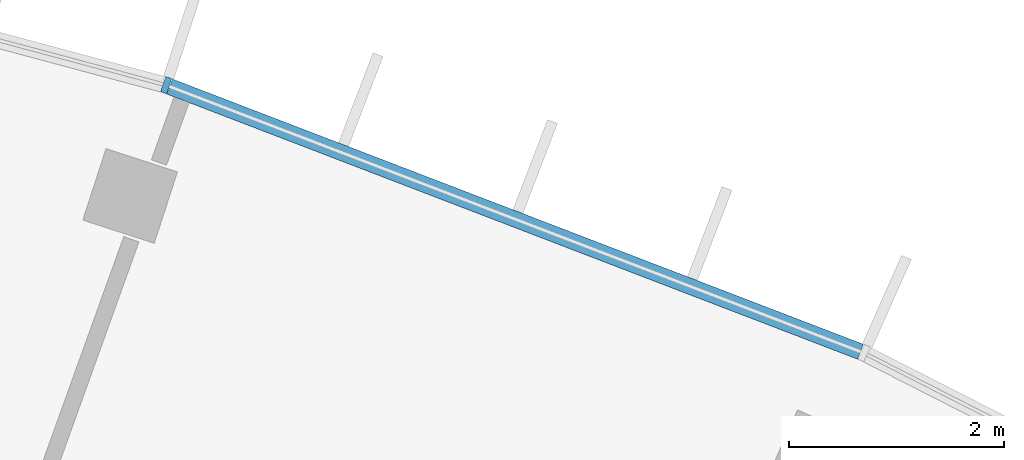
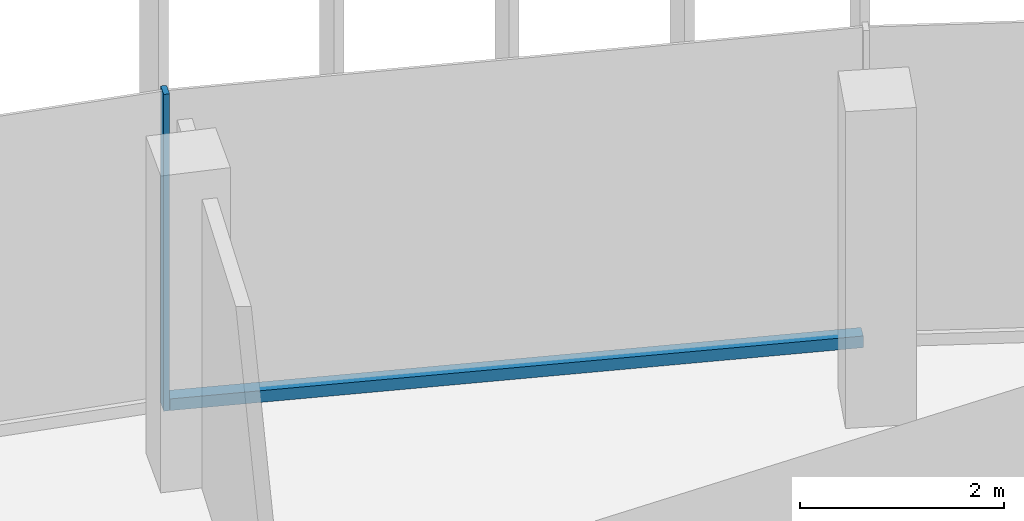
# One storey, part 10 of 19: 2 members, 1 element without a shape of its own.
"""IFC4 building model written with IfcOpenShell, lengths in metres."""

from ifc_helpers import new_model, si_unit, direction, frame, origin, origin_2d, place, context, subcontext, project, spatial, rectangle, extrude, material, layer, layer_set, material_profile, profile_set, type_object, element, aggregate, save


model = new_model("IFC4")

# Units and contexts
model_context = context("Model", 3, precision=1e-05, world=origin(), true_north=direction((0.0, 1.0)))
body_context = subcontext(model_context, "Body", "Model", "MODEL_VIEW")
ifc_project = project(units=[si_unit("LENGTHUNIT", "METRE"), si_unit("AREAUNIT", "SQUARE_METRE"), si_unit("VOLUMEUNIT", "CUBIC_METRE"), si_unit("PLANEANGLEUNIT", "RADIAN"), si_unit("MASSUNIT", "GRAM", prefix="KILO")], contexts=[model_context])

# Site, building, storey
site_placement = place(None, origin())
site = spatial("IfcSite", under=ifc_project, at=site_placement, CompositionType="ELEMENT")
building_placement = place(site_placement, origin())
building = spatial("IfcBuilding", under=site, at=building_placement, Name="Stone Belt Terrace Tower", CompositionType="ELEMENT")
storey_placement = place(building_placement, frame((0.0, 0.0, 280.800048828125)))
storey = spatial("IfcBuildingStorey", under=building, at=storey_placement, Name="L68", CompositionType="ELEMENT", Elevation=280.800048828125)

# Curtain wall, members
ifc_material = material(Name="Aluminium 6063-T6 anodised frame", Category="aluminium")
ifc_layer = layer(ifc_material, 0.14990234375)
ifc_layer_set = layer_set([ifc_layer], Name="CW-A unitised convex-face curtain wall")
curtain_wall_type = type_object("IfcCurtainWallType", Name="CW-A unitised convex-face curtain wall", PredefinedType="NOTDEFINED", material=ifc_layer_set)
curtain_wall_placement = place(storey_placement, origin())
curtain_wall = element("IfcCurtainWall", 1, at=curtain_wall_placement, inside=storey, type_object=curtain_wall_type, Name="CW-A convex face L68", PredefinedType="NOTDEFINED")
ifc_material_profile_1 = material_profile(ifc_material, rectangle(XDim=0.14990234375, YDim=0.06005859375, at=origin_2d()), Name="Aluminium 6063-T6 60x150")
ifc_profile_set_1 = profile_set([ifc_material_profile_1], Name="Aluminium 6063-T6 anodised frame")
member_type_1 = type_object("IfcMemberType", Name="CW-A mullion 60 x 150", PredefinedType="MULLION", material=ifc_profile_set_1)
member_1_placement = place(storey_placement, frame((20.57275390625, 63.316650390625, 0.0), z_axis=(0.0, 0.0, 1.0), x_axis=(-0.309016994375, -0.951056516295, 0.0)))
member_1 = element("IfcMember", 2, at=member_1_placement, type_object=member_type_1, Name="CW-A mullion 5", PredefinedType="MULLION", context=body_context, shape_type="SweptSolid", body=[
    extrude(rectangle(XDim=0.14990234375, YDim=0.06005859375, at=origin_2d()), origin(), (0.0, 0.0, 1.0), 3.800048828125),
])
ifc_material_profile_2 = material_profile(ifc_material, rectangle(XDim=0.14990234375, YDim=0.139892578125, at=origin_2d()), Name="Aluminium 6063-T6 150x140")
ifc_profile_set_2 = profile_set([ifc_material_profile_2], Name="Aluminium 6063-T6 anodised frame")
member_type_2 = type_object("IfcMemberType", Name="CW-A transom 140 x 150", PredefinedType="USERDEFINED", material=ifc_profile_set_2)
member_2_placement = place(storey_placement, frame((27.046875, 60.83154296875, 0.070068359375), z_axis=(-0.933585210269, 0.358355487146, 0.0), x_axis=(-0.358355487146, -0.933585210269, 0.0)))
member_2 = element("IfcMember", 3, at=member_2_placement, type_object=member_type_2, Name="CW-A transom 4.1", ObjectType="TRANSOM", PredefinedType="USERDEFINED", context=body_context, shape_type="SweptSolid", body=[
    extrude(rectangle(XDim=0.14990234375, YDim=0.139892578125, at=origin_2d()), origin(), (0.0, 0.0, 1.0), 6.900634765625),
])
aggregate(curtain_wall, [member_1, member_2])

save(model, "model.ifc")
